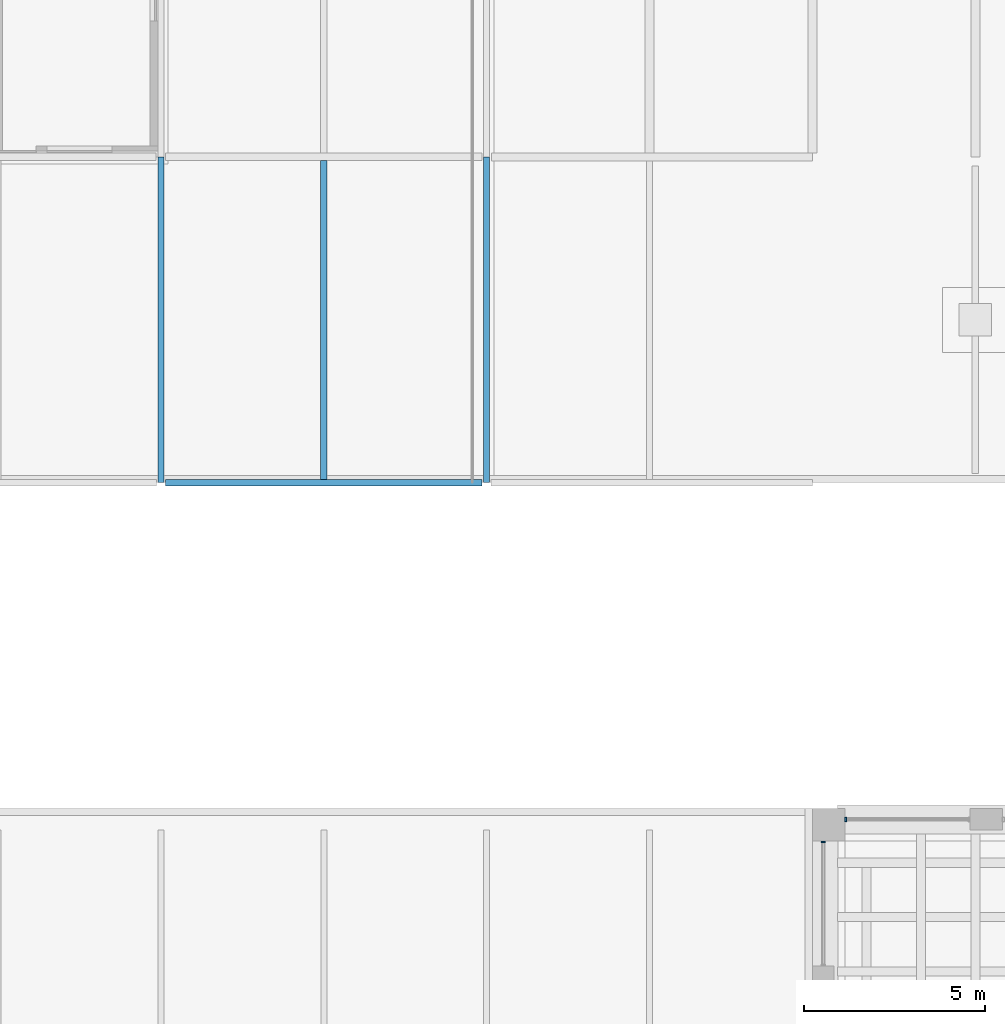
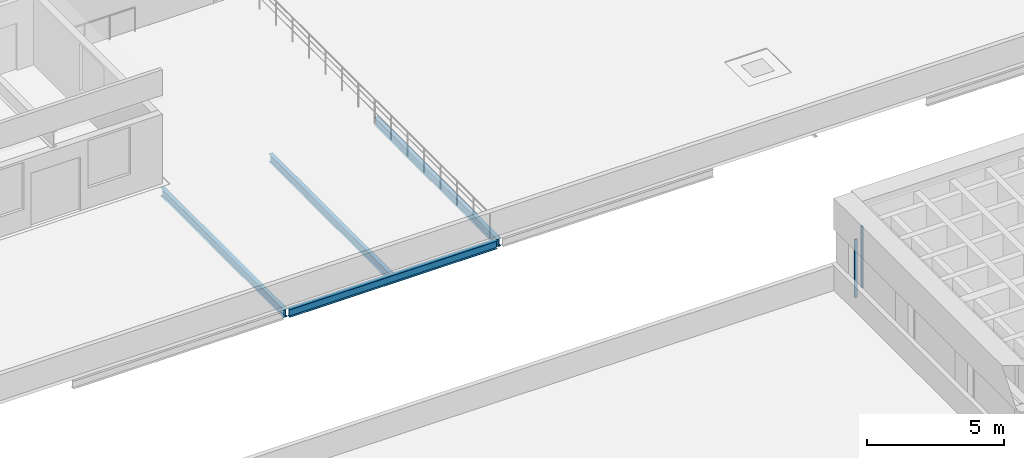
# One storey, part 22 of 50: 4 beams, 2 members, 2 elements without a shape of their own.
"""IFC4 building model written with IfcOpenShell, lengths in metres."""

from ifc_helpers import new_model, si_unit, direction, frame, origin, origin_2d, place, context, subcontext, project, spatial, rectangle, i_section, extrude, material, layer, layer_set, material_profile, profile_set, type_object, element, aggregate, save


model = new_model("IFC4")

# Units and contexts
model_context = context("Model", 3, precision=1e-05, world=origin(), true_north=direction((0.0, 1.0)))
body_context = subcontext(model_context, "Body", "Model", "MODEL_VIEW")
ifc_project = project(units=[si_unit("LENGTHUNIT", "METRE"), si_unit("AREAUNIT", "SQUARE_METRE"), si_unit("VOLUMEUNIT", "CUBIC_METRE"), si_unit("PLANEANGLEUNIT", "RADIAN"), si_unit("MASSUNIT", "GRAM", prefix="KILO")], contexts=[model_context])

# Site, building, storey
site_placement = place(None, origin())
site = spatial("IfcSite", under=ifc_project, at=site_placement, CompositionType="ELEMENT")
building_placement = place(site_placement, origin())
building = spatial("IfcBuilding", under=site, at=building_placement, Name="Corbel Yard City Hall", CompositionType="ELEMENT")
storey_placement = place(building_placement, frame((0.0, 0.0, 15.0)))
storey = spatial("IfcBuildingStorey", under=building, at=storey_placement, Name="L03", CompositionType="ELEMENT", Elevation=15.0)

# Beams
ifc_material_1 = material(Name="Steel Grade 300 (300 MPa yield)", Category="steel")
ifc_material_profile_1 = material_profile(ifc_material_1, i_section(OverallWidth=0.1708984375, OverallDepth=0.35205078125, WebThickness=0.0068359375, FlangeThickness=0.009765625, at=origin_2d()), Name="360UB44.7")
ifc_profile_set_1 = profile_set([ifc_material_profile_1], Name="Steel Grade 300 (300 MPa yield)")
beam_type_1 = type_object("IfcBeamType", Name="Beam 360UB44.7", PredefinedType="BEAM", material=ifc_profile_set_1)
for number, where, z_axis, x_axis, name in (
    (1, (99.0, 90.00439453125, -0.325927734375), (0.0, 1.0, 0.0), (-1.0, 0.0, 0.0), "Beam 360UB44.7 SB13 L03roof"),
    (2, (108.0, 90.00439453125, -0.325927734375), (0.0, 1.0, 0.0), (-1.0, 0.0, 0.0), "Beam 360UB44.7 SB13 L03roof"),
):
    element("IfcBeam", number, at=place(storey_placement, frame(where, z_axis=z_axis, x_axis=x_axis)), inside=storey, type_object=beam_type_1, Name=name, PredefinedType="BEAM", context=body_context, shape_type="SweptSolid", body=[
        extrude(i_section(OverallWidth=0.1708984375, OverallDepth=0.35205078125, WebThickness=0.0068359375, FlangeThickness=0.009765625, at=origin_2d()), origin(), (0.0, 0.0, 1.0), 8.990234375),
    ])
ifc_material_profile_2 = material_profile(ifc_material_1, i_section(OverallWidth=0.172119140625, OverallDepth=0.35888671875, WebThickness=0.008056640625, FlangeThickness=0.012939453125, at=origin_2d()), Name="360UB56.7")
ifc_profile_set_2 = profile_set([ifc_material_profile_2], Name="Steel Grade 300 (300 MPa yield)")
beam_type_2 = type_object("IfcBeamType", Name="Edge beam 360UB56.7", PredefinedType="BEAM", material=ifc_profile_set_2)
beam_1_placement = place(storey_placement, frame((99.126953125, 90.0, -0.32958984375), z_axis=(1.0, 0.0, 0.0), x_axis=(0.0, 1.0, 0.0)))
element("IfcBeam", 3, at=beam_1_placement, inside=storey, type_object=beam_type_2, Name="Edge beam 360UB56.7 EB4 L03roof", PredefinedType="BEAM", context=body_context, shape_type="SweptSolid", body=[
    extrude(i_section(OverallWidth=0.172119140625, OverallDepth=0.35888671875, WebThickness=0.008056640625, FlangeThickness=0.012939453125, at=origin_2d()), origin(), (0.0, 0.0, 1.0), 8.74609375),
])

# Curtain wall, member
ifc_material_2 = material(Name="Aluminium extrusion", Category="aluminium")
ifc_layer = layer(ifc_material_2, 0.1201171875)
ifc_layer_set = layer_set([ifc_layer], Name="Aluminium extrusion")
curtain_wall_type = type_object("IfcCurtainWallType", Name="CW3", PredefinedType="USERDEFINED", material=ifc_layer_set)
curtain_wall_1_placement = place(storey_placement, origin())
curtain_wall_1 = element("IfcCurtainWall", 4, at=curtain_wall_1_placement, inside=storey, type_object=curtain_wall_type, Name="Chamber clerestory glazing", ObjectType="CURTAIN WALL", PredefinedType="USERDEFINED")
ifc_material_profile_3 = material_profile(ifc_material_2, rectangle(XDim=0.1201171875, YDim=0.050048828125, at=origin_2d()), Name="120x50")
ifc_profile_set_3 = profile_set([ifc_material_profile_3], Name="Aluminium extrusion")
member_type = type_object("IfcMemberType", Name="ML3", PredefinedType="MULLION", material=ifc_profile_set_3)
member_1_placement = place(storey_placement, frame((117.925048828125, 80.699951171875, -0.14990234375), z_axis=(0.0, 0.0, 1.0), x_axis=(0.0, 1.0, 0.0)))
member_1 = element("IfcMember", 5, at=member_1_placement, type_object=member_type, Name="CW3 mullion 1", PredefinedType="MULLION", context=body_context, shape_type="SweptSolid", body=[
    extrude(rectangle(XDim=0.1201171875, YDim=0.050048828125, at=origin_2d()), origin(), (0.0, 0.0, 1.0), 2.75),
])
aggregate(curtain_wall_1, [member_1])

curtain_wall_2_placement = place(storey_placement, origin())
curtain_wall_2 = element("IfcCurtainWall", 6, at=curtain_wall_2_placement, inside=storey, type_object=curtain_wall_type, Name="Chamber clerestory glazing", ObjectType="CURTAIN WALL", PredefinedType="USERDEFINED")
member_2_placement = place(storey_placement, frame((117.300048828125, 80.074951171875, 0.0), z_axis=(0.0, 0.0, 1.0), x_axis=(-1.0, 0.0, 0.0)))
member_2 = element("IfcMember", 7, at=member_2_placement, type_object=member_type, Name="CW3 mullion 2", PredefinedType="MULLION", context=body_context, shape_type="SweptSolid", body=[
    extrude(rectangle(XDim=0.1201171875, YDim=0.050048828125, at=origin_2d()), origin(), (0.0, 0.0, 1.0), 2.60009765625),
])
aggregate(curtain_wall_2, [member_2])

# Beam
ifc_material_profile_4 = material_profile(ifc_material_1, i_section(OverallWidth=0.1708984375, OverallDepth=0.35205078125, WebThickness=0.0068359375, FlangeThickness=0.009765625, at=origin_2d()), Name="360UB44.7")
ifc_profile_set_4 = profile_set([ifc_material_profile_4], Name="Steel Grade 300 (300 MPa yield)")
beam_type_3 = type_object("IfcBeamType", Name="Secondary beam 360UB44.7", PredefinedType="JOIST", material=ifc_profile_set_4)
beam_2_placement = place(storey_placement, frame((103.5, 90.0859375, -0.325927734375), z_axis=(0.0, 1.0, 0.0), x_axis=(-1.0, 0.0, 0.0)))
element("IfcBeam", 8, at=beam_2_placement, inside=storey, type_object=beam_type_3, Name="Secondary beam 360UB44.7 SB11 L03roof", PredefinedType="JOIST", context=body_context, shape_type="SweptSolid", body=[
    extrude(i_section(OverallWidth=0.1708984375, OverallDepth=0.35205078125, WebThickness=0.0068359375, FlangeThickness=0.009765625, at=origin_2d()), origin(), (0.0, 0.0, 1.0), 8.8095703125),
])

save(model, "model.ifc")
